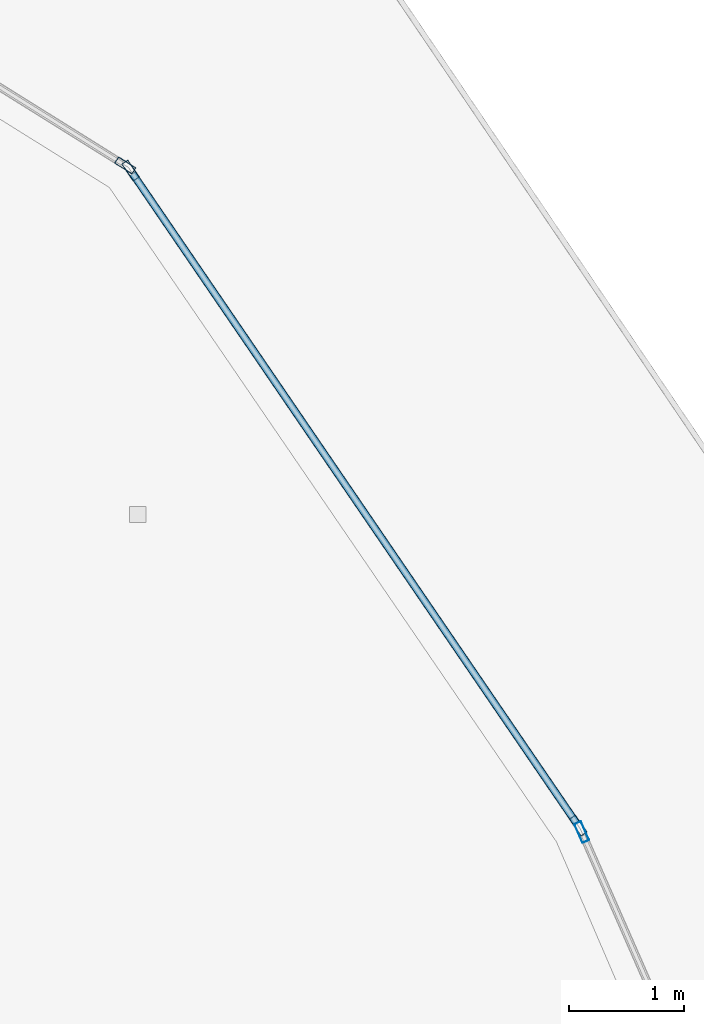
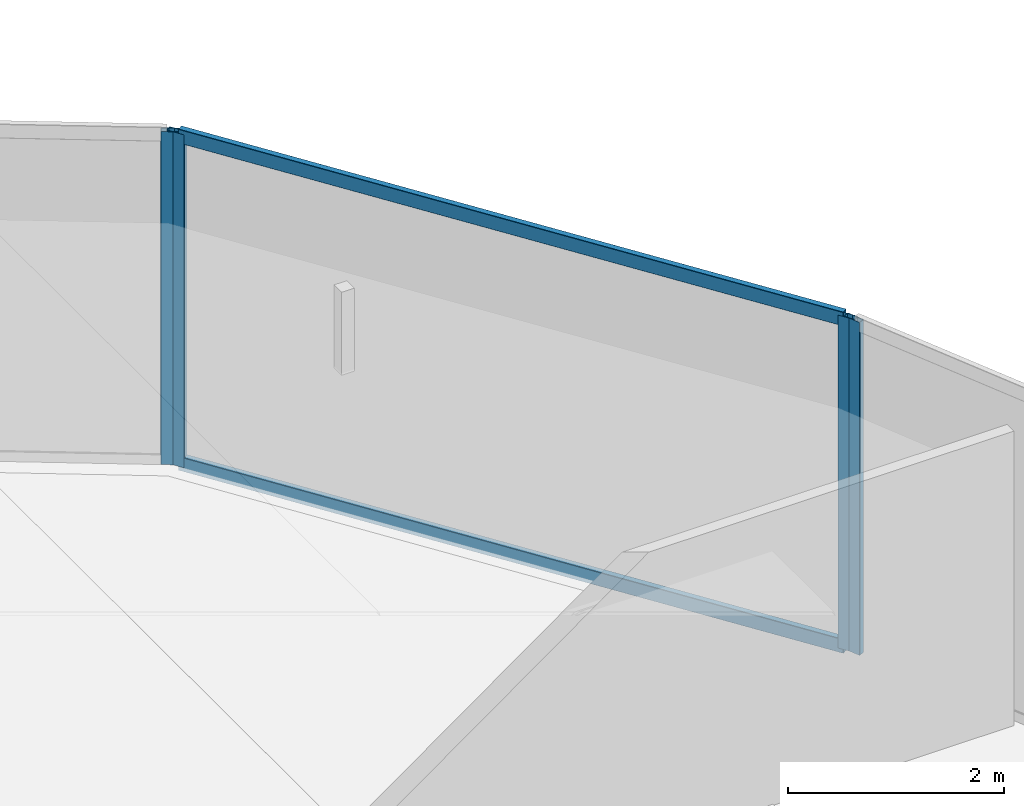
# One storey, part 24 of 44: 6 members, 3 elements without a shape of their own.
"""IFC4 building model written with IfcOpenShell, lengths in metres."""

import ifcopenshell
import ifcopenshell.guid

model = None  # the IFC model being written
_history = None  # IfcOwnerHistory: only IFC2X3 demands one
_inside = {}  # id of a spatial element -> (the spatial element, [elements in it])
_under = {}  # id of a project, library or spatial element -> (it, [spatial elements below it])
_declared = {}  # id of a project -> (the project, [libraries it declares])
_typed = {}  # id of a type object -> (the type object, [elements of that type])
_made_of = {}  # id of a material, layer set ... -> (it, [elements and type objects made of it])


def new_model(schema):
    """Start an empty IFC model of exactly this schema.

    Asked for "IFC4X3", IfcOpenShell would pick the latest addendum, in which some entities
    have other attributes; the version numbers below select the first issue.
    IFC2X3 requires an IfcOwnerHistory on every rooted entity: one is made here for all.
    """
    global model, _history
    if schema == "IFC4X3":
        model = ifcopenshell.file(schema_version=(4, 3, 0, 0))
    else:
        model = ifcopenshell.file(schema=schema)
    _inside.clear()
    _under.clear()
    _declared.clear()
    _typed.clear()
    _made_of.clear()
    _history = None
    if model.schema == "IFC2X3":
        org = make("IfcOrganization", Name="unknown")
        user = make(
            "IfcPersonAndOrganization",
            ThePerson=make("IfcPerson", FamilyName="unknown"),
            TheOrganization=org,
        )
        app = make(
            "IfcApplication",
            ApplicationDeveloper=org,
            Version="unknown",
            ApplicationFullName="unknown",
            ApplicationIdentifier="unknown",
        )
        _history = make(
            "IfcOwnerHistory",
            OwningUser=user,
            OwningApplication=app,
            ChangeAction="ADDED",
            CreationDate=0,
        )
    return model


def make(cls, **values):
    """One entity of the class cls with the attributes given. An attribute that is None is left unset."""
    return model.create_entity(
        cls, **{name: value for name, value in values.items() if value is not None}
    )


def rooted(cls, **values):
    """An entity with a GlobalId (a new one), such as an element, a storey or a relation."""
    return make(cls, GlobalId=ifcopenshell.guid.new(), OwnerHistory=_history, **values)


def si_unit(unit_type, name, prefix=None):
    """IfcSIUnit, for example si_unit("LENGTHUNIT", "METRE", prefix="MILLI")."""
    return make("IfcSIUnit", UnitType=unit_type, Prefix=prefix, Name=name)


def assignment(units):
    """IfcUnitAssignment: the units of a project."""
    return None if units is None else make("IfcUnitAssignment", Units=units)


def point(xyz):
    """IfcCartesianPoint."""
    return None if xyz is None else make("IfcCartesianPoint", Coordinates=xyz)


def direction(xyz):
    """IfcDirection."""
    return None if xyz is None else make("IfcDirection", DirectionRatios=xyz)


def frame(location, z_axis=None, x_axis=None):
    """IfcAxis2Placement3D, a coordinate frame: its origin and axes. An axis left out is left unset."""
    return make(
        "IfcAxis2Placement3D",
        Location=point(location),
        Axis=direction(z_axis),
        RefDirection=direction(x_axis),
    )


def frame_2d(location, x_axis=None):
    """IfcAxis2Placement2D, a coordinate frame in the plane: its origin and x axis."""
    return make(
        "IfcAxis2Placement2D", Location=point(location), RefDirection=direction(x_axis)
    )


def origin():
    """The frame at (0, 0, 0) with its axes left unset."""
    return frame((0.0, 0.0, 0.0))


def origin_2d():
    """The frame at (0, 0) in the plane with its x axis left unset."""
    return frame_2d((0.0, 0.0))


def place(relative_to, where):
    """IfcLocalPlacement: puts the frame where relative to a parent placement (None: the world)."""
    return make(
        "IfcLocalPlacement", PlacementRelTo=relative_to, RelativePlacement=where
    )


def context(
    kind, dimensions, precision=None, world=None, true_north=None, identifier=None
):
    """IfcGeometricRepresentationContext, for example the 3D "Model" context."""
    return make(
        "IfcGeometricRepresentationContext",
        ContextIdentifier=identifier,
        ContextType=kind,
        CoordinateSpaceDimension=dimensions,
        Precision=precision,
        WorldCoordinateSystem=world,
        TrueNorth=true_north,
    )


def subcontext(parent, identifier, kind, view, scale=None):
    """IfcGeometricRepresentationSubContext, for example "Body" below "Model"."""
    return make(
        "IfcGeometricRepresentationSubContext",
        ContextIdentifier=identifier,
        ContextType=kind,
        ParentContext=parent,
        TargetScale=scale,
        TargetView=view,
    )


def project(units=None, contexts=None):
    """IfcProject with its units and contexts."""
    return rooted(
        "IfcProject",
        Name="project",
        RepresentationContexts=contexts,
        UnitsInContext=assignment(units),
    )


def spatial(cls, under=None, at=None, **own):
    """A site, building, storey or space (cls), placed at a placement, below another one or the project."""
    s = rooted(cls, ObjectPlacement=at, **own)
    if under is not None:
        _under.setdefault(under.id(), (under, []))[1].append(s)
    return s


def profile(cls, at=None, kind="AREA", **sizes):
    """A parametric profile (cls). Its sizes go by their IFC names, for example OverallWidth=200.0."""
    return make(cls, ProfileType=kind, Position=at, **sizes)


def hollow_rectangle(**sizes):
    """IfcRectangleHollowProfileDef."""
    return profile("IfcRectangleHollowProfileDef", **sizes)


def extrude(swept, where, along, depth):
    """IfcExtrudedAreaSolid: the profile swept, set in the frame where, extruded along a direction by depth."""
    return make(
        "IfcExtrudedAreaSolid",
        SweptArea=swept,
        Position=where,
        ExtrudedDirection=direction(along),
        Depth=depth,
    )


def shape(context_of_items, identifier, shape_type, items):
    """IfcShapeRepresentation: the items that make up one representation, for example the "Body"."""
    return make(
        "IfcShapeRepresentation",
        ContextOfItems=context_of_items,
        RepresentationIdentifier=identifier,
        RepresentationType=shape_type,
        Items=items,
    )


def material(Name=None, Category=None):
    """IfcMaterial."""
    return make("IfcMaterial", Name=Name, Category=Category)


def layer(
    of_material, thickness, ventilated=None, Name=None, Category=None, Priority=None
):
    """IfcMaterialLayer: one layer of a wall or slab, of a material (None: an air gap)."""
    return make(
        "IfcMaterialLayer",
        Material=of_material,
        LayerThickness=thickness,
        IsVentilated=ventilated,
        Name=Name,
        Category=Category,
        Priority=Priority,
    )


def layer_set(layers, Name=None):
    """IfcMaterialLayerSet."""
    return make("IfcMaterialLayerSet", MaterialLayers=layers, LayerSetName=Name)


def material_profile(
    of_material, cross_section, Name=None, Category=None, Priority=None
):
    """IfcMaterialProfile: a cross section and its material."""
    return make(
        "IfcMaterialProfile",
        Name=Name,
        Material=of_material,
        Profile=cross_section,
        Priority=Priority,
        Category=Category,
    )


def profile_set(profiles, Name=None, composite=None):
    """IfcMaterialProfileSet."""
    return make(
        "IfcMaterialProfileSet",
        Name=Name,
        MaterialProfiles=profiles,
        CompositeProfile=composite,
    )


def made_of(thing, what):
    """Note that an element or type object is made of a material, layer set ...; save() writes the relation."""
    if what is not None:
        _made_of.setdefault(what.id(), (what, []))[1].append(thing)
    return thing


def type_object(cls, material=None, **own):
    """A type object (cls), such as IfcWallType, which elements share."""
    return made_of(rooted(cls, **own), material)


def element(
    cls,
    number,
    at=None,
    inside=None,
    cuts=None,
    type_object=None,
    material=None,
    context=None,
    identifier="Body",
    shape_type=None,
    held_by="IfcProductDefinitionShape",
    body=None,
    shapes=None,
    **own,
):
    """One element of the class cls, such as IfcWall. Its Tag is "e" and its number.

    at: its placement. inside: the storey or other place that contains it. cuts: it is an
    opening in that element (IfcRelVoidsElement). A single representation is given by context,
    identifier, shape_type and body (its items); several are given by shapes. held_by: the class
    of the entity that holds the representations. save() writes the other relations.
    """
    e = rooted(cls, Tag="e%d" % number, ObjectPlacement=at, **own)
    if body is not None:
        shapes = [shape(context, identifier, shape_type, body)]
    if shapes is not None:
        e.Representation = make(held_by, Representations=shapes)
    if inside is not None:
        _inside.setdefault(inside.id(), (inside, []))[1].append(e)
    if cuts is not None:
        rooted(
            "IfcRelVoidsElement", RelatingBuildingElement=cuts, RelatedOpeningElement=e
        )
    if type_object is not None:
        _typed.setdefault(type_object.id(), (type_object, []))[1].append(e)
    return made_of(e, material)


def aggregate(whole, parts):
    """IfcRelAggregates: a whole, such as a stair, and the parts it consists of."""
    return rooted("IfcRelAggregates", RelatingObject=whole, RelatedObjects=parts)


def save(model, path):
    """Write the relations noted so far, then the file.

    IfcRelAggregates (storeys below a building ...), IfcRelContainedInSpatialStructure (elements
    in a storey), IfcRelDefinesByType, IfcRelAssociatesMaterial and IfcRelDeclares: one each for
    every whole, place, type object, material and project.
    """
    for whole, parts in _under.values():
        aggregate(whole, parts)
    for where, things in _inside.values():
        rooted(
            "IfcRelContainedInSpatialStructure",
            RelatedElements=things,
            RelatingStructure=where,
        )
    for kind, things in _typed.values():
        rooted("IfcRelDefinesByType", RelatedObjects=things, RelatingType=kind)
    for what, things in _made_of.values():
        rooted("IfcRelAssociatesMaterial", RelatedObjects=things, RelatingMaterial=what)
    for by, libraries in _declared.values():
        rooted("IfcRelDeclares", RelatingContext=by, RelatedDefinitions=libraries)
    model.write(path)


model = new_model("IFC4")

# Units and contexts
model_context = context("Model", 3, precision=1e-05, world=origin(), true_north=direction((0.0, 1.0)))
body_context = subcontext(model_context, "Body", "Model", "MODEL_VIEW")
ifc_project = project(units=[si_unit("LENGTHUNIT", "METRE"), si_unit("AREAUNIT", "SQUARE_METRE"), si_unit("VOLUMEUNIT", "CUBIC_METRE"), si_unit("PLANEANGLEUNIT", "RADIAN"), si_unit("MASSUNIT", "GRAM", prefix="KILO")], contexts=[model_context])

# Site, building, storey
site_placement = place(None, origin())
site = spatial("IfcSite", under=ifc_project, at=site_placement, CompositionType="ELEMENT")
building_placement = place(site_placement, origin())
building = spatial("IfcBuilding", under=site, at=building_placement, Name="Qorvath Tower", CompositionType="ELEMENT")
storey_placement = place(building_placement, frame((0.0, 0.0, 113.85009765625)))
storey = spatial("IfcBuildingStorey", under=building, at=storey_placement, Name="L25", CompositionType="ELEMENT", Elevation=113.85009765625)

# Curtain wall, member
ifc_material_1 = material(Name="Anodised aluminium and triple low-E glass", Category="aluminium")
ifc_layer = layer(ifc_material_1, 0.179931640625)
ifc_layer_set = layer_set([ifc_layer], Name="CW-SYS-2")
curtain_wall_type = type_object("IfcCurtainWallType", Name="CW-SYS-2", PredefinedType="NOTDEFINED", material=ifc_layer_set)
curtain_wall_1_placement = place(storey_placement, origin())
curtain_wall_1 = element("IfcCurtainWall", 1, at=curtain_wall_1_placement, inside=storey, type_object=curtain_wall_type, Name="Curtain Wall CW-2 CW-T-L25-12.1", PredefinedType="NOTDEFINED")
ifc_material_2 = material(Name="Anodised aluminium 6063-T6", Category="aluminium")
ifc_material_profile_1 = material_profile(ifc_material_2, hollow_rectangle(XDim=0.06494140625, YDim=0.179931640625, WallThickness=0.00341796875, InnerFilletRadius=0.00341796875, OuterFilletRadius=0.007080078125, at=origin_2d()), Name="CWM 180x65")
ifc_profile_set_1 = profile_set([ifc_material_profile_1], Name="Anodised aluminium 6063-T6")
member_type_1 = type_object("IfcMemberType", Name="CWM-180", PredefinedType="MULLION", material=ifc_profile_set_1)
member_1_placement = place(storey_placement, frame((0.63525390625, 18.151123046875, 0.0), z_axis=(0.0, 0.0, 1.0), x_axis=(-0.915821362935, -0.401585895161, 0.0)))
member_1 = element("IfcMember", 2, at=member_1_placement, type_object=member_type_1, Name="CW-2 mullion 2", PredefinedType="MULLION", context=body_context, shape_type="SweptSolid", body=[
    extrude(hollow_rectangle(XDim=0.06494140625, YDim=0.179931640625, WallThickness=0.00341796875, InnerFilletRadius=0.00341796875, OuterFilletRadius=0.007080078125, at=origin_2d()), origin(), (0.0, 0.0, 1.0), 3.77001953125),
])
aggregate(curtain_wall_1, [member_1])

# Curtain wall, members
curtain_wall_2_placement = place(storey_placement, origin())
curtain_wall_2 = element("IfcCurtainWall", 3, at=curtain_wall_2_placement, inside=storey, type_object=curtain_wall_type, Name="Curtain Wall CW-2 CW-T-L25-13.1", PredefinedType="NOTDEFINED")
member_2_placement = place(storey_placement, frame((0.60400390625, 18.207763671875, 0.0), z_axis=(0.0, 0.0, 1.0), x_axis=(-0.825695001763, -0.564116800019, 0.0)))
member_2 = element("IfcMember", 4, at=member_2_placement, type_object=member_type_1, Name="CW-2 mullion 1", PredefinedType="MULLION", context=body_context, shape_type="SweptSolid", body=[
    extrude(hollow_rectangle(XDim=0.06494140625, YDim=0.179931640625, WallThickness=0.00341796875, InnerFilletRadius=0.00341796875, OuterFilletRadius=0.007080078125, at=origin_2d()), origin(), (0.0, 0.0, 1.0), 3.77001953125),
])
member_3_placement = place(storey_placement, frame((-3.2900390625, 23.9072265625, 0.0), z_axis=(0.0, 0.0, 1.0), x_axis=(-0.825695001763, -0.564116800019, 0.0)))
member_3 = element("IfcMember", 5, at=member_3_placement, type_object=member_type_1, Name="CW-2 mullion 2", PredefinedType="MULLION", context=body_context, shape_type="SweptSolid", body=[
    extrude(hollow_rectangle(XDim=0.06494140625, YDim=0.179931640625, WallThickness=0.00341796875, InnerFilletRadius=0.00341796875, OuterFilletRadius=0.007080078125, at=origin_2d()), origin(), (0.0, 0.0, 1.0), 3.77001953125),
])

# Curtain wall, member
curtain_wall_3_placement = place(storey_placement, origin())
curtain_wall_3 = element("IfcCurtainWall", 6, at=curtain_wall_3_placement, inside=storey, type_object=curtain_wall_type, Name="Curtain Wall CW-2 CW-T-L25-14.1", PredefinedType="NOTDEFINED")
member_4_placement = place(storey_placement, frame((-3.3359375, 23.951416015625, 0.0), z_axis=(0.0, 0.0, 1.0), x_axis=(-0.529548597524, -0.848279601818, 0.0)))
member_4 = element("IfcMember", 7, at=member_4_placement, type_object=member_type_1, Name="CW-2 mullion 1", PredefinedType="MULLION", context=body_context, shape_type="SweptSolid", body=[
    extrude(hollow_rectangle(XDim=0.06494140625, YDim=0.179931640625, WallThickness=0.00341796875, InnerFilletRadius=0.00341796875, OuterFilletRadius=0.007080078125, at=origin_2d()), origin(), (0.0, 0.0, 1.0), 3.77001953125),
])
aggregate(curtain_wall_3, [member_4])

# Member
ifc_material_3 = material(Name="Anodised aluminium 6063-T6", Category="aluminium")
ifc_material_profile_2 = material_profile(ifc_material_3, hollow_rectangle(XDim=0.06494140625, YDim=0.159912109375, WallThickness=0.00341796875, InnerFilletRadius=0.00341796875, OuterFilletRadius=0.007080078125, at=origin_2d()), Name="CWT 160x65")
ifc_profile_set_2 = profile_set([ifc_material_profile_2], Name="Anodised aluminium 6063-T6")
member_type_2 = type_object("IfcMemberType", Name="CWT-160", PredefinedType="USERDEFINED", material=ifc_profile_set_2)
member_5_placement = place(storey_placement, frame((0.585693359375, 18.234619140625, 0.032470703125), z_axis=(-0.564139796164, 0.825679290272, 0.0), x_axis=(-0.825679290272, -0.564139796164, 0.0)))
member_5 = element("IfcMember", 8, at=member_5_placement, type_object=member_type_2, Name="CW-2 transom 1.1", ObjectType="TRANSOM", PredefinedType="USERDEFINED", context=body_context, shape_type="SweptSolid", body=[
    extrude(hollow_rectangle(XDim=0.06494140625, YDim=0.159912109375, WallThickness=0.00341796875, InnerFilletRadius=0.00341796875, OuterFilletRadius=0.007080078125, at=origin_2d()), origin(), (0.0, 0.0, 1.0), 6.837646484375),
])

member_6_placement = place(storey_placement, frame((0.585693359375, 18.234619140625, 3.737548828125), z_axis=(-0.564139796164, 0.825679290272, 0.0), x_axis=(-0.825679290272, -0.564139796164, 0.0)))
member_6 = element("IfcMember", 9, at=member_6_placement, type_object=member_type_2, Name="CW-2 transom 1.2", ObjectType="TRANSOM", PredefinedType="USERDEFINED", context=body_context, shape_type="SweptSolid", body=[
    extrude(hollow_rectangle(XDim=0.06494140625, YDim=0.159912109375, WallThickness=0.00341796875, InnerFilletRadius=0.00341796875, OuterFilletRadius=0.007080078125, at=origin_2d()), origin(), (0.0, 0.0, 1.0), 6.837646484375),
])

aggregate(curtain_wall_2, [member_2, member_3, member_5, member_6])

save(model, "model.ifc")
